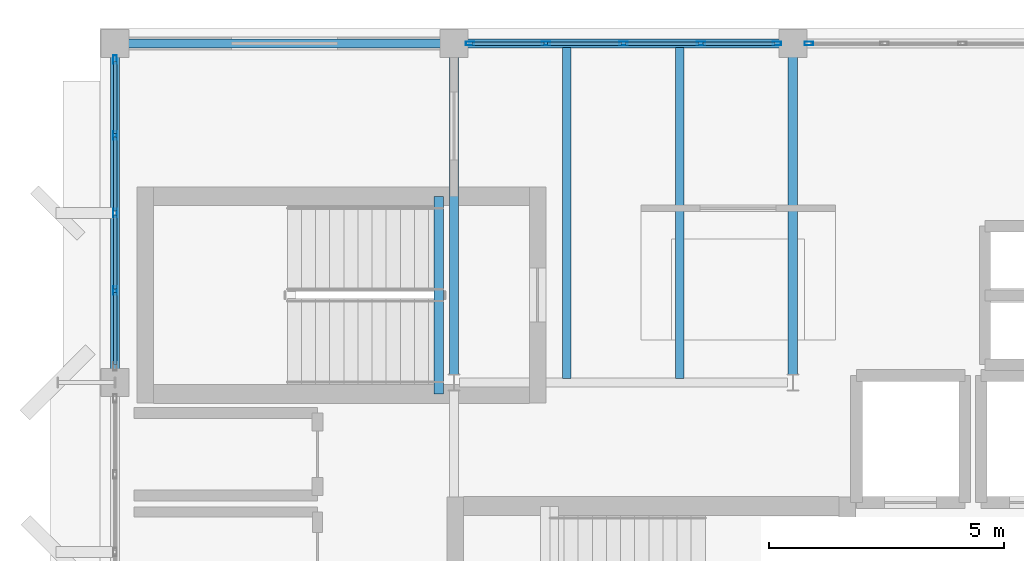
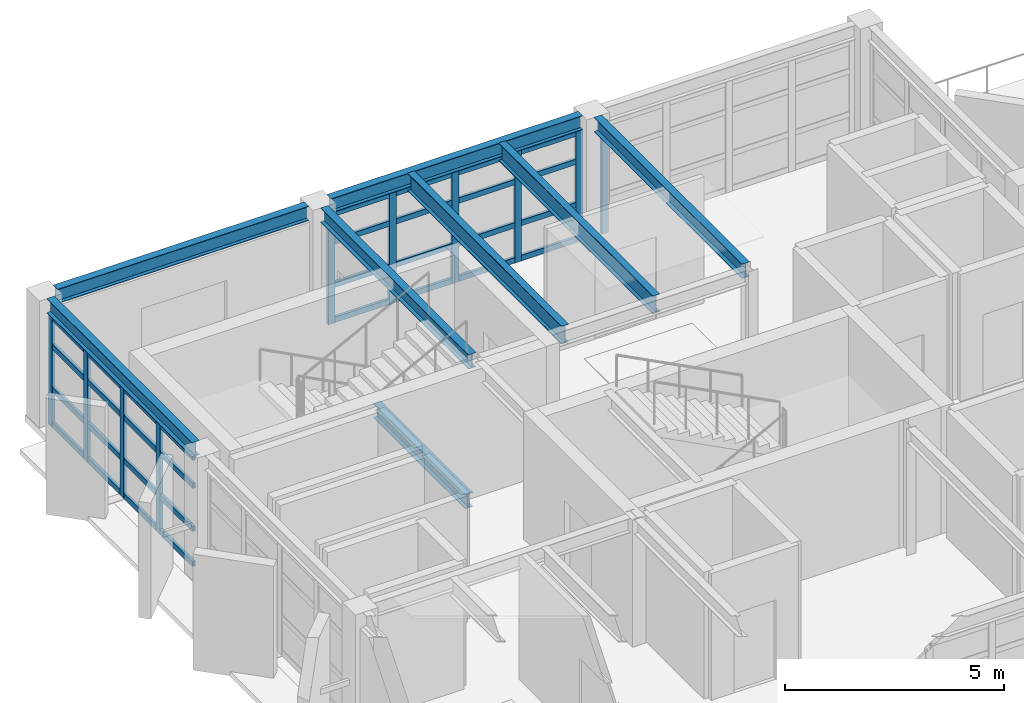
# One storey, part 5 of 13: 42 members, 8 beams, 3 elements without a shape of their own.
"""IFC4 building model written with IfcOpenShell, lengths in metres."""

from ifc_helpers import new_model, si_unit, direction, frame, origin, origin_2d, place, context, subcontext, project, spatial, hollow_rectangle, i_section, extrude, material, layer, layer_set, material_profile, profile_set, type_object, element, aggregate, save


model = new_model("IFC4")

# Units and contexts
model_context = context("Model", 3, precision=1e-05, world=origin(), true_north=direction((0.0, 1.0)))
body_context = subcontext(model_context, "Body", "Model", "MODEL_VIEW")
ifc_project = project(units=[si_unit("LENGTHUNIT", "METRE"), si_unit("AREAUNIT", "SQUARE_METRE"), si_unit("VOLUMEUNIT", "CUBIC_METRE"), si_unit("PLANEANGLEUNIT", "RADIAN"), si_unit("MASSUNIT", "GRAM", prefix="KILO")], contexts=[model_context])

# Site, building, storey
site_placement = place(None, origin())
site = spatial("IfcSite", under=ifc_project, at=site_placement, CompositionType="ELEMENT")
building_placement = place(site_placement, origin())
building = spatial("IfcBuilding", under=site, at=building_placement, Name="Kandorven Conservatory and Botanical Research Centre", CompositionType="ELEMENT")
storey_placement = place(building_placement, frame((0.0, 0.0, 59.39990234375)))
storey = spatial("IfcBuildingStorey", under=building, at=storey_placement, Name="L15", CompositionType="ELEMENT", Elevation=59.39990234375)

# Beams
ifc_material_1 = material(Name="Steel S355 (IS 2062 E350)", Category="steel")
ifc_material_profile_1 = material_profile(ifc_material_1, i_section(OverallWidth=0.199951171875, OverallDepth=0.39990234375, WebThickness=0.008544921875, FlangeThickness=0.012939453125, at=origin_2d()))
ifc_profile_set_1 = profile_set([ifc_material_profile_1], Name="Steel S355 (IS 2062 E350)")
beam_type_1 = type_object("IfcBeamType", Name="Beam_FG-03", PredefinedType="USERDEFINED", material=ifc_profile_set_1)
beam_1_placement = place(storey_placement, frame((6.2900390625, 27.60009765625, 3.330078125), z_axis=(1.0, 0.0, 0.0), x_axis=(0.0, 1.0, 0.0)))
element("IfcBeam", 1, at=beam_1_placement, inside=storey, type_object=beam_type_1, Name="Primary girder FG-03 TWR L15", ObjectType="GIRDER", PredefinedType="USERDEFINED", context=body_context, shape_type="SweptSolid", body=[
    extrude(i_section(OverallWidth=0.199951171875, OverallDepth=0.39990234375, WebThickness=0.008544921875, FlangeThickness=0.012939453125, at=origin_2d()), origin(), (0.0, 0.0, 1.0), 6.619873046875),
])
for number, where, z_axis, x_axis, name in (
    (2, (13.489990234375, 27.60009765625, 3.330078125), (1.0, 0.0, 0.0), (0.0, 1.0, 0.0), "Primary girder FG-03 TWR L15"),
    (3, (6.0, 20.68994140625, 3.330078125), (0.0, 1.0, 0.0), (-1.0, 0.0, 0.0), "Primary girder FG-03 TWR L15"),
):
    element("IfcBeam", number, at=place(storey_placement, frame(where, z_axis=z_axis, x_axis=x_axis)), inside=storey, type_object=beam_type_1, Name=name, ObjectType="GIRDER", PredefinedType="USERDEFINED", context=body_context, shape_type="SweptSolid", body=[
        extrude(i_section(OverallWidth=0.199951171875, OverallDepth=0.39990234375, WebThickness=0.008544921875, FlangeThickness=0.012939453125, at=origin_2d()), origin(), (0.0, 0.0, 1.0), 6.6201171875),
    ])
for number, where, z_axis, x_axis, name in (
    (4, (13.199951171875, 20.56494140625, 3.330078125), (0.0, 1.0, 0.0), (-1.0, 0.0, 0.0), "Primary girder FG-03 TWR L15"),
    (5, (20.39990234375, 20.56494140625, 3.330078125), (0.0, 1.0, 0.0), (-1.0, 0.0, 0.0), "Primary girder FG-03 TWR L15"),
):
    element("IfcBeam", number, at=place(storey_placement, frame(where, z_axis=z_axis, x_axis=x_axis)), inside=storey, type_object=beam_type_1, Name=name, ObjectType="GIRDER", PredefinedType="USERDEFINED", context=body_context, shape_type="SweptSolid", body=[
        extrude(i_section(OverallWidth=0.199951171875, OverallDepth=0.39990234375, WebThickness=0.008544921875, FlangeThickness=0.012939453125, at=origin_2d()), origin(), (0.0, 0.0, 1.0), 6.7451171875),
    ])
beam_2_placement = place(storey_placement, frame((12.8798828125, 24.35009765625, -0.199951171875), z_axis=(0.0, -1.0, 0.0), x_axis=(1.0, 0.0, 0.0)))
element("IfcBeam", 6, at=beam_2_placement, inside=storey, type_object=beam_type_1, Name="Stair well bottom trimmer girder FG-03 ST-T2 L15", ObjectType="GIRDER", PredefinedType="USERDEFINED", context=body_context, shape_type="SweptSolid", body=[
    extrude(i_section(OverallWidth=0.199951171875, OverallDepth=0.39990234375, WebThickness=0.008544921875, FlangeThickness=0.012939453125, at=origin_2d()), origin(), (0.0, 0.0, 1.0), 4.190185546875),
])
ifc_material_2 = material(Name="Steel S355 (IS 2062 E350)", Category="steel")
ifc_material_profile_2 = material_profile(ifc_material_2, i_section(OverallWidth=0.179931640625, OverallDepth=0.5, WebThickness=0.01025390625, FlangeThickness=0.01708984375, at=origin_2d()))
ifc_profile_set_2 = profile_set([ifc_material_profile_2], Name="Steel S355 (IS 2062 E350)")
beam_type_2 = type_object("IfcBeamType", Name="Beam_SB-03", PredefinedType="BEAM", material=ifc_profile_set_2)
for number, where, z_axis, x_axis, name in (
    (7, (15.60009765625, 20.485107421875, 3.280029296875), (0.0, 1.0, 0.0), (-1.0, 0.0, 0.0), "Composite secondary beam SB-03 TWR L15"),
    (8, (18.0, 20.485107421875, 3.280029296875), (0.0, 1.0, 0.0), (-1.0, 0.0, 0.0), "Composite secondary beam SB-03 TWR L15"),
):
    element("IfcBeam", number, at=place(storey_placement, frame(where, z_axis=z_axis, x_axis=x_axis)), inside=storey, type_object=beam_type_2, Name=name, PredefinedType="BEAM", context=body_context, shape_type="SweptSolid", body=[
        extrude(i_section(OverallWidth=0.179931640625, OverallDepth=0.5, WebThickness=0.01025390625, FlangeThickness=0.01708984375, at=origin_2d()), origin(), (0.0, 0.0, 1.0), 7.02978515625),
    ])

# Curtain wall, members
ifc_material_3 = material(Name="Bronze anodised thermally broken aluminium", Category="aluminium")
ifc_layer = layer(ifc_material_3, 0.179931640625)
ifc_layer_set = layer_set([ifc_layer], Name="Bronze anodised thermally broken aluminium")
curtain_wall_type = type_object("IfcCurtainWallType", Name="CW_Unitised", PredefinedType="USERDEFINED", material=ifc_layer_set)
curtain_wall_1_placement = place(storey_placement, origin())
curtain_wall_1 = element("IfcCurtainWall", 9, at=curtain_wall_1_placement, inside=storey, type_object=curtain_wall_type, Name="Tower laboratory curtain wall CW-TWR-N-L15-2", ObjectType="UNITISED GLAZING", PredefinedType="USERDEFINED")
ifc_material_4 = material(Name="Bronze anodised thermally broken aluminium", Category="aluminium")
ifc_material_profile_3 = material_profile(ifc_material_4, hollow_rectangle(XDim=0.080078125, YDim=0.179931640625, WallThickness=0.006103515625, at=origin_2d()))
ifc_profile_set_3 = profile_set([ifc_material_profile_3], Name="Bronze anodised thermally broken aluminium")
member_type_1 = type_object("IfcMemberType", Name="CW_Mullion", PredefinedType="MULLION", material=ifc_profile_set_3)
member_1_placement = place(storey_placement, frame((13.5400390625, 27.60009765625, 0.0), z_axis=(0.0, 0.0, 1.0), x_axis=(0.0, 1.0, 0.0)))
member_1 = element("IfcMember", 10, at=member_1_placement, type_object=member_type_1, Name="CW-01 mullion 1", PredefinedType="MULLION", context=body_context, shape_type="SweptSolid", body=[
    extrude(hollow_rectangle(XDim=0.080078125, YDim=0.179931640625, WallThickness=0.006103515625, at=origin_2d()), origin(), (0.0, 0.0, 1.0), 3.110107421875),
])
member_2_placement = place(storey_placement, frame((15.14990234375, 27.60009765625, 0.0), z_axis=(0.0, 0.0, 1.0), x_axis=(0.0, 1.0, 0.0)))
member_2 = element("IfcMember", 11, at=member_2_placement, type_object=member_type_1, Name="CW-01 mullion 2", PredefinedType="MULLION", context=body_context, shape_type="SweptSolid", body=[
    extrude(hollow_rectangle(XDim=0.080078125, YDim=0.179931640625, WallThickness=0.006103515625, at=origin_2d()), origin(), (0.0, 0.0, 1.0), 3.110107421875),
])
member_3_placement = place(storey_placement, frame((16.800048828125, 27.60009765625, 0.0), z_axis=(0.0, 0.0, 1.0), x_axis=(0.0, 1.0, 0.0)))
member_3 = element("IfcMember", 12, at=member_3_placement, type_object=member_type_1, Name="CW-01 mullion 3", PredefinedType="MULLION", context=body_context, shape_type="SweptSolid", body=[
    extrude(hollow_rectangle(XDim=0.080078125, YDim=0.179931640625, WallThickness=0.006103515625, at=origin_2d()), origin(), (0.0, 0.0, 1.0), 3.110107421875),
])
member_4_placement = place(storey_placement, frame((18.449951171875, 27.60009765625, 0.0), z_axis=(0.0, 0.0, 1.0), x_axis=(0.0, 1.0, 0.0)))
member_4 = element("IfcMember", 13, at=member_4_placement, type_object=member_type_1, Name="CW-01 mullion 4", PredefinedType="MULLION", context=body_context, shape_type="SweptSolid", body=[
    extrude(hollow_rectangle(XDim=0.080078125, YDim=0.179931640625, WallThickness=0.006103515625, at=origin_2d()), origin(), (0.0, 0.0, 1.0), 3.110107421875),
])
member_5_placement = place(storey_placement, frame((20.06005859375, 27.60009765625, 0.0), z_axis=(0.0, 0.0, 1.0), x_axis=(0.0, 1.0, 0.0)))
member_5 = element("IfcMember", 14, at=member_5_placement, type_object=member_type_1, Name="CW-01 mullion 5", PredefinedType="MULLION", context=body_context, shape_type="SweptSolid", body=[
    extrude(hollow_rectangle(XDim=0.080078125, YDim=0.179931640625, WallThickness=0.006103515625, at=origin_2d()), origin(), (0.0, 0.0, 1.0), 3.110107421875),
])

# Curtain wall, member
curtain_wall_2_placement = place(storey_placement, origin())
curtain_wall_2 = element("IfcCurtainWall", 15, at=curtain_wall_2_placement, inside=storey, type_object=curtain_wall_type, Name="Tower laboratory curtain wall CW-TWR-N-L15-3", ObjectType="UNITISED GLAZING", PredefinedType="USERDEFINED")
member_6_placement = place(storey_placement, frame((20.739990234375, 27.60009765625, 0.0), z_axis=(0.0, 0.0, 1.0), x_axis=(0.0, 1.0, 0.0)))
member_6 = element("IfcMember", 16, at=member_6_placement, type_object=member_type_1, Name="CW-01 mullion 1", PredefinedType="MULLION", context=body_context, shape_type="SweptSolid", body=[
    extrude(hollow_rectangle(XDim=0.080078125, YDim=0.179931640625, WallThickness=0.006103515625, at=origin_2d()), origin(), (0.0, 0.0, 1.0), 3.110107421875),
])
aggregate(curtain_wall_2, [member_6])

# Curtain wall, members
curtain_wall_3_placement = place(storey_placement, origin())
curtain_wall_3 = element("IfcCurtainWall", 17, at=curtain_wall_3_placement, inside=storey, type_object=curtain_wall_type, Name="Tower laboratory curtain wall CW-TWR-W-L15-3", ObjectType="UNITISED GLAZING", PredefinedType="USERDEFINED")
member_7_placement = place(storey_placement, frame((6.0, 22.35009765625, 0.0), z_axis=(0.0, 0.0, 1.0), x_axis=(-1.0, 0.0, 0.0)))
member_7 = element("IfcMember", 18, at=member_7_placement, type_object=member_type_1, Name="CW-01 mullion 2", PredefinedType="MULLION", context=body_context, shape_type="SweptSolid", body=[
    extrude(hollow_rectangle(XDim=0.080078125, YDim=0.179931640625, WallThickness=0.006103515625, at=origin_2d()), origin(), (0.0, 0.0, 1.0), 3.110107421875),
])
member_8_placement = place(storey_placement, frame((6.0, 24.0, 0.0), z_axis=(0.0, 0.0, 1.0), x_axis=(-1.0, 0.0, 0.0)))
member_8 = element("IfcMember", 19, at=member_8_placement, type_object=member_type_1, Name="CW-01 mullion 3", PredefinedType="MULLION", context=body_context, shape_type="SweptSolid", body=[
    extrude(hollow_rectangle(XDim=0.080078125, YDim=0.179931640625, WallThickness=0.006103515625, at=origin_2d()), origin(), (0.0, 0.0, 1.0), 3.110107421875),
])
member_9_placement = place(storey_placement, frame((6.0, 25.64990234375, 0.0), z_axis=(0.0, 0.0, 1.0), x_axis=(-1.0, 0.0, 0.0)))
member_9 = element("IfcMember", 20, at=member_9_placement, type_object=member_type_1, Name="CW-01 mullion 4", PredefinedType="MULLION", context=body_context, shape_type="SweptSolid", body=[
    extrude(hollow_rectangle(XDim=0.080078125, YDim=0.179931640625, WallThickness=0.006103515625, at=origin_2d()), origin(), (0.0, 0.0, 1.0), 3.110107421875),
])
member_10_placement = place(storey_placement, frame((6.0, 27.260009765625, 0.0), z_axis=(0.0, 0.0, 1.0), x_axis=(-1.0, 0.0, 0.0)))
member_10 = element("IfcMember", 21, at=member_10_placement, type_object=member_type_1, Name="CW-01 mullion 5", PredefinedType="MULLION", context=body_context, shape_type="SweptSolid", body=[
    extrude(hollow_rectangle(XDim=0.080078125, YDim=0.179931640625, WallThickness=0.006103515625, at=origin_2d()), origin(), (0.0, 0.0, 1.0), 3.110107421875),
])

# Member
ifc_material_5 = material(Name="Bronze anodised thermally broken aluminium", Category="aluminium")
ifc_material_profile_4 = material_profile(ifc_material_5, hollow_rectangle(XDim=0.074951171875, YDim=0.14990234375, WallThickness=0.006103515625, at=origin_2d()))
ifc_profile_set_4 = profile_set([ifc_material_profile_4], Name="Bronze anodised thermally broken aluminium")
member_type_2 = type_object("IfcMemberType", Name="CW_Transom", PredefinedType="USERDEFINED", material=ifc_profile_set_4)
member_11_placement = place(storey_placement, frame((13.580078125, 27.60009765625, 0.0751953125), z_axis=(1.0, 0.0, 0.0), x_axis=(0.0, 1.0, 0.0)))
member_11 = element("IfcMember", 22, at=member_11_placement, type_object=member_type_2, Name="CW-01 transom 1.1", ObjectType="TRANSOM", PredefinedType="USERDEFINED", context=body_context, shape_type="SweptSolid", body=[
    extrude(hollow_rectangle(XDim=0.074951171875, YDim=0.14990234375, WallThickness=0.006103515625, at=origin_2d()), origin(), (0.0, 0.0, 1.0), 1.530029296875),
])

member_12_placement = place(storey_placement, frame((13.580078125, 27.60009765625, 1.050048828125), z_axis=(1.0, 0.0, 0.0), x_axis=(0.0, 1.0, 0.0)))
member_12 = element("IfcMember", 23, at=member_12_placement, type_object=member_type_2, Name="CW-01 transom 1.2", ObjectType="TRANSOM", PredefinedType="USERDEFINED", context=body_context, shape_type="SweptSolid", body=[
    extrude(hollow_rectangle(XDim=0.074951171875, YDim=0.14990234375, WallThickness=0.006103515625, at=origin_2d()), origin(), (0.0, 0.0, 1.0), 1.530029296875),
])

member_13_placement = place(storey_placement, frame((13.580078125, 27.60009765625, 2.25), z_axis=(1.0, 0.0, 0.0), x_axis=(0.0, 1.0, 0.0)))
member_13 = element("IfcMember", 24, at=member_13_placement, type_object=member_type_2, Name="CW-01 transom 1.3", ObjectType="TRANSOM", PredefinedType="USERDEFINED", context=body_context, shape_type="SweptSolid", body=[
    extrude(hollow_rectangle(XDim=0.074951171875, YDim=0.14990234375, WallThickness=0.006103515625, at=origin_2d()), origin(), (0.0, 0.0, 1.0), 1.530029296875),
])

member_14_placement = place(storey_placement, frame((13.580078125, 27.60009765625, 3.03515625), z_axis=(1.0, 0.0, 0.0), x_axis=(0.0, 1.0, 0.0)))
member_14 = element("IfcMember", 25, at=member_14_placement, type_object=member_type_2, Name="CW-01 transom 1.4", ObjectType="TRANSOM", PredefinedType="USERDEFINED", context=body_context, shape_type="SweptSolid", body=[
    extrude(hollow_rectangle(XDim=0.074951171875, YDim=0.14990234375, WallThickness=0.006103515625, at=origin_2d()), origin(), (0.0, 0.0, 1.0), 1.530029296875),
])

member_15_placement = place(storey_placement, frame((15.18994140625, 27.60009765625, 0.0751953125), z_axis=(1.0, 0.0, 0.0), x_axis=(0.0, 1.0, 0.0)))
member_15 = element("IfcMember", 26, at=member_15_placement, type_object=member_type_2, Name="CW-01 transom 2.1", ObjectType="TRANSOM", PredefinedType="USERDEFINED", context=body_context, shape_type="SweptSolid", body=[
    extrude(hollow_rectangle(XDim=0.074951171875, YDim=0.14990234375, WallThickness=0.006103515625, at=origin_2d()), origin(), (0.0, 0.0, 1.0), 1.570068359375),
])

member_16_placement = place(storey_placement, frame((15.18994140625, 27.60009765625, 1.050048828125), z_axis=(1.0, 0.0, 0.0), x_axis=(0.0, 1.0, 0.0)))
member_16 = element("IfcMember", 27, at=member_16_placement, type_object=member_type_2, Name="CW-01 transom 2.2", ObjectType="TRANSOM", PredefinedType="USERDEFINED", context=body_context, shape_type="SweptSolid", body=[
    extrude(hollow_rectangle(XDim=0.074951171875, YDim=0.14990234375, WallThickness=0.006103515625, at=origin_2d()), origin(), (0.0, 0.0, 1.0), 1.570068359375),
])

member_17_placement = place(storey_placement, frame((15.18994140625, 27.60009765625, 2.25), z_axis=(1.0, 0.0, 0.0), x_axis=(0.0, 1.0, 0.0)))
member_17 = element("IfcMember", 28, at=member_17_placement, type_object=member_type_2, Name="CW-01 transom 2.3", ObjectType="TRANSOM", PredefinedType="USERDEFINED", context=body_context, shape_type="SweptSolid", body=[
    extrude(hollow_rectangle(XDim=0.074951171875, YDim=0.14990234375, WallThickness=0.006103515625, at=origin_2d()), origin(), (0.0, 0.0, 1.0), 1.570068359375),
])

member_18_placement = place(storey_placement, frame((15.18994140625, 27.60009765625, 3.03515625), z_axis=(1.0, 0.0, 0.0), x_axis=(0.0, 1.0, 0.0)))
member_18 = element("IfcMember", 29, at=member_18_placement, type_object=member_type_2, Name="CW-01 transom 2.4", ObjectType="TRANSOM", PredefinedType="USERDEFINED", context=body_context, shape_type="SweptSolid", body=[
    extrude(hollow_rectangle(XDim=0.074951171875, YDim=0.14990234375, WallThickness=0.006103515625, at=origin_2d()), origin(), (0.0, 0.0, 1.0), 1.570068359375),
])

member_19_placement = place(storey_placement, frame((16.840087890625, 27.60009765625, 0.0751953125), z_axis=(1.0, 0.0, 0.0), x_axis=(0.0, 1.0, 0.0)))
member_19 = element("IfcMember", 30, at=member_19_placement, type_object=member_type_2, Name="CW-01 transom 3.1", ObjectType="TRANSOM", PredefinedType="USERDEFINED", context=body_context, shape_type="SweptSolid", body=[
    extrude(hollow_rectangle(XDim=0.074951171875, YDim=0.14990234375, WallThickness=0.006103515625, at=origin_2d()), origin(), (0.0, 0.0, 1.0), 1.56982421875),
])

member_20_placement = place(storey_placement, frame((16.840087890625, 27.60009765625, 1.050048828125), z_axis=(1.0, 0.0, 0.0), x_axis=(0.0, 1.0, 0.0)))
member_20 = element("IfcMember", 31, at=member_20_placement, type_object=member_type_2, Name="CW-01 transom 3.2", ObjectType="TRANSOM", PredefinedType="USERDEFINED", context=body_context, shape_type="SweptSolid", body=[
    extrude(hollow_rectangle(XDim=0.074951171875, YDim=0.14990234375, WallThickness=0.006103515625, at=origin_2d()), origin(), (0.0, 0.0, 1.0), 1.56982421875),
])

member_21_placement = place(storey_placement, frame((16.840087890625, 27.60009765625, 2.25), z_axis=(1.0, 0.0, 0.0), x_axis=(0.0, 1.0, 0.0)))
member_21 = element("IfcMember", 32, at=member_21_placement, type_object=member_type_2, Name="CW-01 transom 3.3", ObjectType="TRANSOM", PredefinedType="USERDEFINED", context=body_context, shape_type="SweptSolid", body=[
    extrude(hollow_rectangle(XDim=0.074951171875, YDim=0.14990234375, WallThickness=0.006103515625, at=origin_2d()), origin(), (0.0, 0.0, 1.0), 1.56982421875),
])

member_22_placement = place(storey_placement, frame((16.840087890625, 27.60009765625, 3.03515625), z_axis=(1.0, 0.0, 0.0), x_axis=(0.0, 1.0, 0.0)))
member_22 = element("IfcMember", 33, at=member_22_placement, type_object=member_type_2, Name="CW-01 transom 3.4", ObjectType="TRANSOM", PredefinedType="USERDEFINED", context=body_context, shape_type="SweptSolid", body=[
    extrude(hollow_rectangle(XDim=0.074951171875, YDim=0.14990234375, WallThickness=0.006103515625, at=origin_2d()), origin(), (0.0, 0.0, 1.0), 1.56982421875),
])

member_23_placement = place(storey_placement, frame((18.489990234375, 27.60009765625, 0.0751953125), z_axis=(1.0, 0.0, 0.0), x_axis=(0.0, 1.0, 0.0)))
member_23 = element("IfcMember", 34, at=member_23_placement, type_object=member_type_2, Name="CW-01 transom 4.1", ObjectType="TRANSOM", PredefinedType="USERDEFINED", context=body_context, shape_type="SweptSolid", body=[
    extrude(hollow_rectangle(XDim=0.074951171875, YDim=0.14990234375, WallThickness=0.006103515625, at=origin_2d()), origin(), (0.0, 0.0, 1.0), 1.530029296875),
])

member_24_placement = place(storey_placement, frame((18.489990234375, 27.60009765625, 1.050048828125), z_axis=(1.0, 0.0, 0.0), x_axis=(0.0, 1.0, 0.0)))
member_24 = element("IfcMember", 35, at=member_24_placement, type_object=member_type_2, Name="CW-01 transom 4.2", ObjectType="TRANSOM", PredefinedType="USERDEFINED", context=body_context, shape_type="SweptSolid", body=[
    extrude(hollow_rectangle(XDim=0.074951171875, YDim=0.14990234375, WallThickness=0.006103515625, at=origin_2d()), origin(), (0.0, 0.0, 1.0), 1.530029296875),
])

member_25_placement = place(storey_placement, frame((18.489990234375, 27.60009765625, 2.25), z_axis=(1.0, 0.0, 0.0), x_axis=(0.0, 1.0, 0.0)))
member_25 = element("IfcMember", 36, at=member_25_placement, type_object=member_type_2, Name="CW-01 transom 4.3", ObjectType="TRANSOM", PredefinedType="USERDEFINED", context=body_context, shape_type="SweptSolid", body=[
    extrude(hollow_rectangle(XDim=0.074951171875, YDim=0.14990234375, WallThickness=0.006103515625, at=origin_2d()), origin(), (0.0, 0.0, 1.0), 1.530029296875),
])

member_26_placement = place(storey_placement, frame((18.489990234375, 27.60009765625, 3.03515625), z_axis=(1.0, 0.0, 0.0), x_axis=(0.0, 1.0, 0.0)))
member_26 = element("IfcMember", 37, at=member_26_placement, type_object=member_type_2, Name="CW-01 transom 4.4", ObjectType="TRANSOM", PredefinedType="USERDEFINED", context=body_context, shape_type="SweptSolid", body=[
    extrude(hollow_rectangle(XDim=0.074951171875, YDim=0.14990234375, WallThickness=0.006103515625, at=origin_2d()), origin(), (0.0, 0.0, 1.0), 1.530029296875),
])

aggregate(curtain_wall_1, [member_1, member_2, member_3, member_4, member_5, member_11, member_12, member_13, member_14, member_15, member_16, member_17, member_18, member_19, member_20, member_21, member_22, member_23, member_24, member_25, member_26])

member_27_placement = place(storey_placement, frame((6.0, 20.780029296875, 0.0751953125), z_axis=(0.0, 1.0, 0.0), x_axis=(-1.0, 0.0, 0.0)))
member_27 = element("IfcMember", 38, at=member_27_placement, type_object=member_type_2, Name="CW-01 transom 1.1", ObjectType="TRANSOM", PredefinedType="USERDEFINED", context=body_context, shape_type="SweptSolid", body=[
    extrude(hollow_rectangle(XDim=0.074951171875, YDim=0.14990234375, WallThickness=0.006103515625, at=origin_2d()), origin(), (0.0, 0.0, 1.0), 1.530029296875),
])

member_28_placement = place(storey_placement, frame((6.0, 20.780029296875, 1.050048828125), z_axis=(0.0, 1.0, 0.0), x_axis=(-1.0, 0.0, 0.0)))
member_28 = element("IfcMember", 39, at=member_28_placement, type_object=member_type_2, Name="CW-01 transom 1.2", ObjectType="TRANSOM", PredefinedType="USERDEFINED", context=body_context, shape_type="SweptSolid", body=[
    extrude(hollow_rectangle(XDim=0.074951171875, YDim=0.14990234375, WallThickness=0.006103515625, at=origin_2d()), origin(), (0.0, 0.0, 1.0), 1.530029296875),
])

member_29_placement = place(storey_placement, frame((6.0, 20.780029296875, 2.25), z_axis=(0.0, 1.0, 0.0), x_axis=(-1.0, 0.0, 0.0)))
member_29 = element("IfcMember", 40, at=member_29_placement, type_object=member_type_2, Name="CW-01 transom 1.3", ObjectType="TRANSOM", PredefinedType="USERDEFINED", context=body_context, shape_type="SweptSolid", body=[
    extrude(hollow_rectangle(XDim=0.074951171875, YDim=0.14990234375, WallThickness=0.006103515625, at=origin_2d()), origin(), (0.0, 0.0, 1.0), 1.530029296875),
])

member_30_placement = place(storey_placement, frame((6.0, 20.780029296875, 3.03515625), z_axis=(0.0, 1.0, 0.0), x_axis=(-1.0, 0.0, 0.0)))
member_30 = element("IfcMember", 41, at=member_30_placement, type_object=member_type_2, Name="CW-01 transom 1.4", ObjectType="TRANSOM", PredefinedType="USERDEFINED", context=body_context, shape_type="SweptSolid", body=[
    extrude(hollow_rectangle(XDim=0.074951171875, YDim=0.14990234375, WallThickness=0.006103515625, at=origin_2d()), origin(), (0.0, 0.0, 1.0), 1.530029296875),
])

member_31_placement = place(storey_placement, frame((6.0, 22.389892578125, 0.0751953125), z_axis=(0.0, 1.0, 0.0), x_axis=(-1.0, 0.0, 0.0)))
member_31 = element("IfcMember", 42, at=member_31_placement, type_object=member_type_2, Name="CW-01 transom 2.1", ObjectType="TRANSOM", PredefinedType="USERDEFINED", context=body_context, shape_type="SweptSolid", body=[
    extrude(hollow_rectangle(XDim=0.074951171875, YDim=0.14990234375, WallThickness=0.006103515625, at=origin_2d()), origin(), (0.0, 0.0, 1.0), 1.570068359375),
])

member_32_placement = place(storey_placement, frame((6.0, 22.389892578125, 1.050048828125), z_axis=(0.0, 1.0, 0.0), x_axis=(-1.0, 0.0, 0.0)))
member_32 = element("IfcMember", 43, at=member_32_placement, type_object=member_type_2, Name="CW-01 transom 2.2", ObjectType="TRANSOM", PredefinedType="USERDEFINED", context=body_context, shape_type="SweptSolid", body=[
    extrude(hollow_rectangle(XDim=0.074951171875, YDim=0.14990234375, WallThickness=0.006103515625, at=origin_2d()), origin(), (0.0, 0.0, 1.0), 1.570068359375),
])

member_33_placement = place(storey_placement, frame((6.0, 22.389892578125, 2.25), z_axis=(0.0, 1.0, 0.0), x_axis=(-1.0, 0.0, 0.0)))
member_33 = element("IfcMember", 44, at=member_33_placement, type_object=member_type_2, Name="CW-01 transom 2.3", ObjectType="TRANSOM", PredefinedType="USERDEFINED", context=body_context, shape_type="SweptSolid", body=[
    extrude(hollow_rectangle(XDim=0.074951171875, YDim=0.14990234375, WallThickness=0.006103515625, at=origin_2d()), origin(), (0.0, 0.0, 1.0), 1.570068359375),
])

member_34_placement = place(storey_placement, frame((6.0, 22.389892578125, 3.03515625), z_axis=(0.0, 1.0, 0.0), x_axis=(-1.0, 0.0, 0.0)))
member_34 = element("IfcMember", 45, at=member_34_placement, type_object=member_type_2, Name="CW-01 transom 2.4", ObjectType="TRANSOM", PredefinedType="USERDEFINED", context=body_context, shape_type="SweptSolid", body=[
    extrude(hollow_rectangle(XDim=0.074951171875, YDim=0.14990234375, WallThickness=0.006103515625, at=origin_2d()), origin(), (0.0, 0.0, 1.0), 1.570068359375),
])

member_35_placement = place(storey_placement, frame((6.0, 24.0400390625, 0.0751953125), z_axis=(0.0, 1.0, 0.0), x_axis=(-1.0, 0.0, 0.0)))
member_35 = element("IfcMember", 46, at=member_35_placement, type_object=member_type_2, Name="CW-01 transom 3.1", ObjectType="TRANSOM", PredefinedType="USERDEFINED", context=body_context, shape_type="SweptSolid", body=[
    extrude(hollow_rectangle(XDim=0.074951171875, YDim=0.14990234375, WallThickness=0.006103515625, at=origin_2d()), origin(), (0.0, 0.0, 1.0), 1.570068359375),
])

member_36_placement = place(storey_placement, frame((6.0, 24.0400390625, 1.050048828125), z_axis=(0.0, 1.0, 0.0), x_axis=(-1.0, 0.0, 0.0)))
member_36 = element("IfcMember", 47, at=member_36_placement, type_object=member_type_2, Name="CW-01 transom 3.2", ObjectType="TRANSOM", PredefinedType="USERDEFINED", context=body_context, shape_type="SweptSolid", body=[
    extrude(hollow_rectangle(XDim=0.074951171875, YDim=0.14990234375, WallThickness=0.006103515625, at=origin_2d()), origin(), (0.0, 0.0, 1.0), 1.570068359375),
])

member_37_placement = place(storey_placement, frame((6.0, 24.0400390625, 2.25), z_axis=(0.0, 1.0, 0.0), x_axis=(-1.0, 0.0, 0.0)))
member_37 = element("IfcMember", 48, at=member_37_placement, type_object=member_type_2, Name="CW-01 transom 3.3", ObjectType="TRANSOM", PredefinedType="USERDEFINED", context=body_context, shape_type="SweptSolid", body=[
    extrude(hollow_rectangle(XDim=0.074951171875, YDim=0.14990234375, WallThickness=0.006103515625, at=origin_2d()), origin(), (0.0, 0.0, 1.0), 1.570068359375),
])

member_38_placement = place(storey_placement, frame((6.0, 24.0400390625, 3.03515625), z_axis=(0.0, 1.0, 0.0), x_axis=(-1.0, 0.0, 0.0)))
member_38 = element("IfcMember", 49, at=member_38_placement, type_object=member_type_2, Name="CW-01 transom 3.4", ObjectType="TRANSOM", PredefinedType="USERDEFINED", context=body_context, shape_type="SweptSolid", body=[
    extrude(hollow_rectangle(XDim=0.074951171875, YDim=0.14990234375, WallThickness=0.006103515625, at=origin_2d()), origin(), (0.0, 0.0, 1.0), 1.570068359375),
])

member_39_placement = place(storey_placement, frame((6.0, 25.68994140625, 0.0751953125), z_axis=(0.0, 1.0, 0.0), x_axis=(-1.0, 0.0, 0.0)))
member_39 = element("IfcMember", 50, at=member_39_placement, type_object=member_type_2, Name="CW-01 transom 4.1", ObjectType="TRANSOM", PredefinedType="USERDEFINED", context=body_context, shape_type="SweptSolid", body=[
    extrude(hollow_rectangle(XDim=0.074951171875, YDim=0.14990234375, WallThickness=0.006103515625, at=origin_2d()), origin(), (0.0, 0.0, 1.0), 1.530029296875),
])

member_40_placement = place(storey_placement, frame((6.0, 25.68994140625, 1.050048828125), z_axis=(0.0, 1.0, 0.0), x_axis=(-1.0, 0.0, 0.0)))
member_40 = element("IfcMember", 51, at=member_40_placement, type_object=member_type_2, Name="CW-01 transom 4.2", ObjectType="TRANSOM", PredefinedType="USERDEFINED", context=body_context, shape_type="SweptSolid", body=[
    extrude(hollow_rectangle(XDim=0.074951171875, YDim=0.14990234375, WallThickness=0.006103515625, at=origin_2d()), origin(), (0.0, 0.0, 1.0), 1.530029296875),
])

member_41_placement = place(storey_placement, frame((6.0, 25.68994140625, 2.25), z_axis=(0.0, 1.0, 0.0), x_axis=(-1.0, 0.0, 0.0)))
member_41 = element("IfcMember", 52, at=member_41_placement, type_object=member_type_2, Name="CW-01 transom 4.3", ObjectType="TRANSOM", PredefinedType="USERDEFINED", context=body_context, shape_type="SweptSolid", body=[
    extrude(hollow_rectangle(XDim=0.074951171875, YDim=0.14990234375, WallThickness=0.006103515625, at=origin_2d()), origin(), (0.0, 0.0, 1.0), 1.530029296875),
])

member_42_placement = place(storey_placement, frame((6.0, 25.68994140625, 3.03515625), z_axis=(0.0, 1.0, 0.0), x_axis=(-1.0, 0.0, 0.0)))
member_42 = element("IfcMember", 53, at=member_42_placement, type_object=member_type_2, Name="CW-01 transom 4.4", ObjectType="TRANSOM", PredefinedType="USERDEFINED", context=body_context, shape_type="SweptSolid", body=[
    extrude(hollow_rectangle(XDim=0.074951171875, YDim=0.14990234375, WallThickness=0.006103515625, at=origin_2d()), origin(), (0.0, 0.0, 1.0), 1.530029296875),
])

aggregate(curtain_wall_3, [member_7, member_8, member_9, member_10, member_27, member_28, member_29, member_30, member_31, member_32, member_33, member_34, member_35, member_36, member_37, member_38, member_39, member_40, member_41, member_42])

save(model, "model.ifc")
